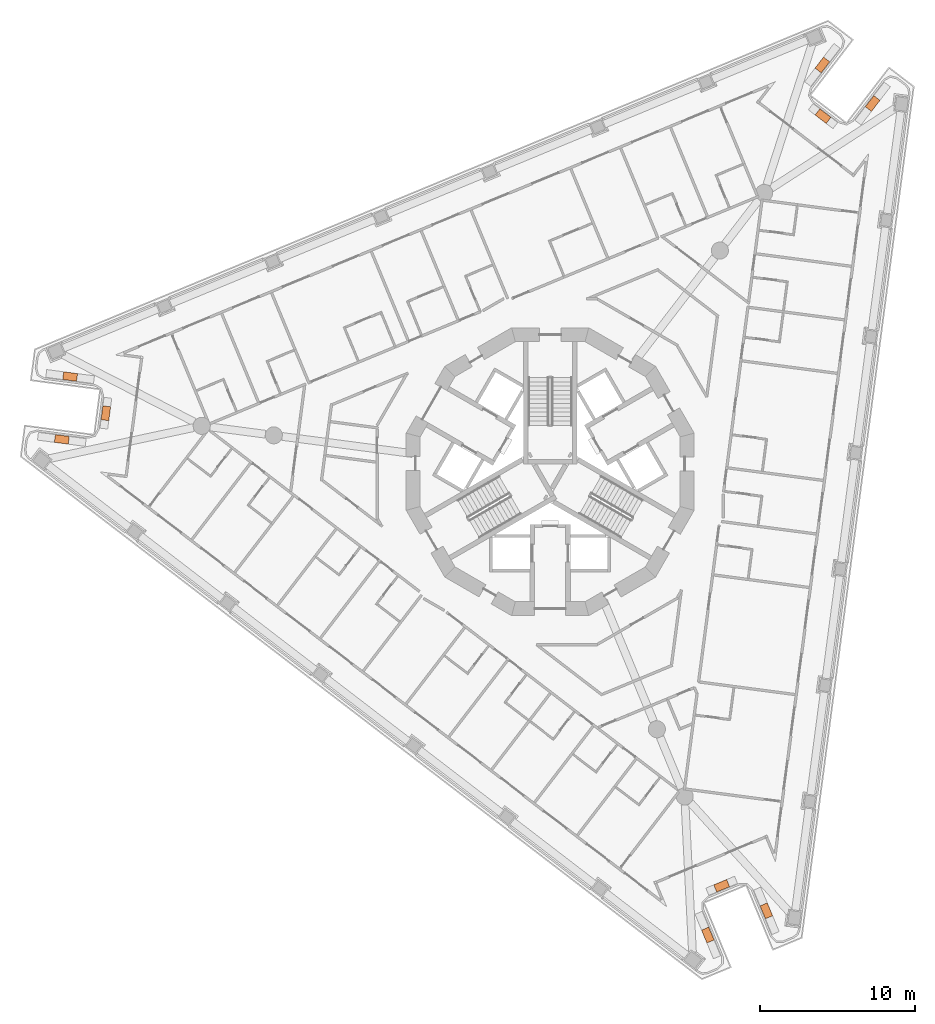
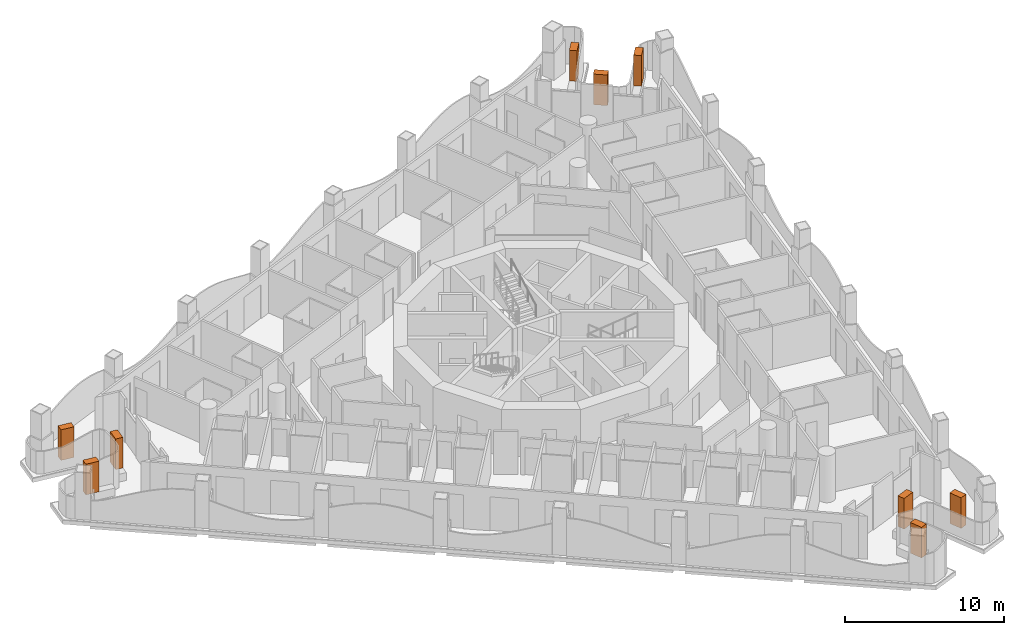
# One storey, part 17 of 17: 9 geographic elements.
"""IFC4 building model written with IfcOpenShell, lengths in metres."""

from ifc_helpers import new_model, si_unit, direction, frame, origin, origin_2d, place, context, subcontext, project, spatial, rectangle, extrude, element, save


model = new_model("IFC4")

# Units and contexts
model_context = context("Model", 3, precision=1e-05, world=origin(), true_north=direction((0.0, 1.0)))
body_context = subcontext(model_context, "Body", "Model", "MODEL_VIEW")
ifc_project = project(units=[si_unit("LENGTHUNIT", "METRE"), si_unit("AREAUNIT", "SQUARE_METRE"), si_unit("VOLUMEUNIT", "CUBIC_METRE"), si_unit("PLANEANGLEUNIT", "RADIAN"), si_unit("MASSUNIT", "GRAM", prefix="KILO")], contexts=[model_context])

# Site, building, storey
site_placement = place(None, origin())
site = spatial("IfcSite", under=ifc_project, at=site_placement, CompositionType="ELEMENT")
building_placement = place(site_placement, origin())
building = spatial("IfcBuilding", under=site, at=building_placement, Name="Trine Commons Tower", CompositionType="ELEMENT")
storey_placement = place(building_placement, frame((0.0, 0.0, 149.39990234375)))
storey = spatial("IfcBuildingStorey", under=building, at=storey_placement, Name="L38", CompositionType="ELEMENT", Elevation=149.39990234375)

# Geographic elements
for number, where, z_axis, x_axis, name in (
    (1, (48.54638671875, 64.58349609375, 0.60009765625), (0.0, 0.0, 1.0), (0.991446455978, -0.130514079426, 0.0), "Tree 1.1"),
    (2, (51.380615234375, 66.267822265625, 0.60009765625), (0.0, 0.0, 1.0), (0.130543496177, 0.991442583111, 0.0), "Tree 2.1"),
    (3, (49.078857421875, 68.62841796875, 0.60009765625), (0.0, 0.0, 1.0), (-0.991446000392, 0.130517540226, 0.0), "Tree 3.1"),
    (4, (97.531005859375, 88.697998046875, 0.60009765625), (0.0, 0.0, 1.0), (-0.608754505672, -0.793358652707, 0.0), "Tree 4.1"),
    (5, (97.57275390625, 85.4013671875, 0.60009765625), (0.0, 0.0, 1.0), (0.793335277627, -0.608784968008, 0.0), "Tree 5.1"),
    (6, (100.767822265625, 86.214111328125, 0.60009765625), (0.0, 0.0, 1.0), (0.6087683523, 0.793348027815, 0.0), "Tree 6.1"),
    (7, (93.922607421875, 34.21875, 0.60009765625), (0.0, 0.0, 1.0), (-0.382694719654, 0.923874857082, 0.0), "Tree 7.1"),
    (8, (91.046630859375, 35.830810546875, 0.60009765625), (0.0, 0.0, 1.0), (-0.923877528773, -0.382688269782, 0.0), "Tree 8.1"),
    (9, (90.153076171875, 32.657470703125, 0.60009765625), (0.0, 0.0, 1.0), (0.382694719654, -0.923874857082, 0.0), "Tree 9.1"),
):
    element("IfcGeographicElement", number, at=place(storey_placement, frame(where, z_axis=z_axis, x_axis=x_axis)), inside=storey, Name=name, ObjectType="TREE Tabebuia rosea", PredefinedType="USERDEFINED", context=body_context, shape_type="SweptSolid", body=[
        extrude(rectangle(XDim=0.89990234375, YDim=0.5, at=origin_2d()), origin(), (0.0, 0.0, 1.0), 2.35009765625),
    ])

save(model, "model.ifc")
